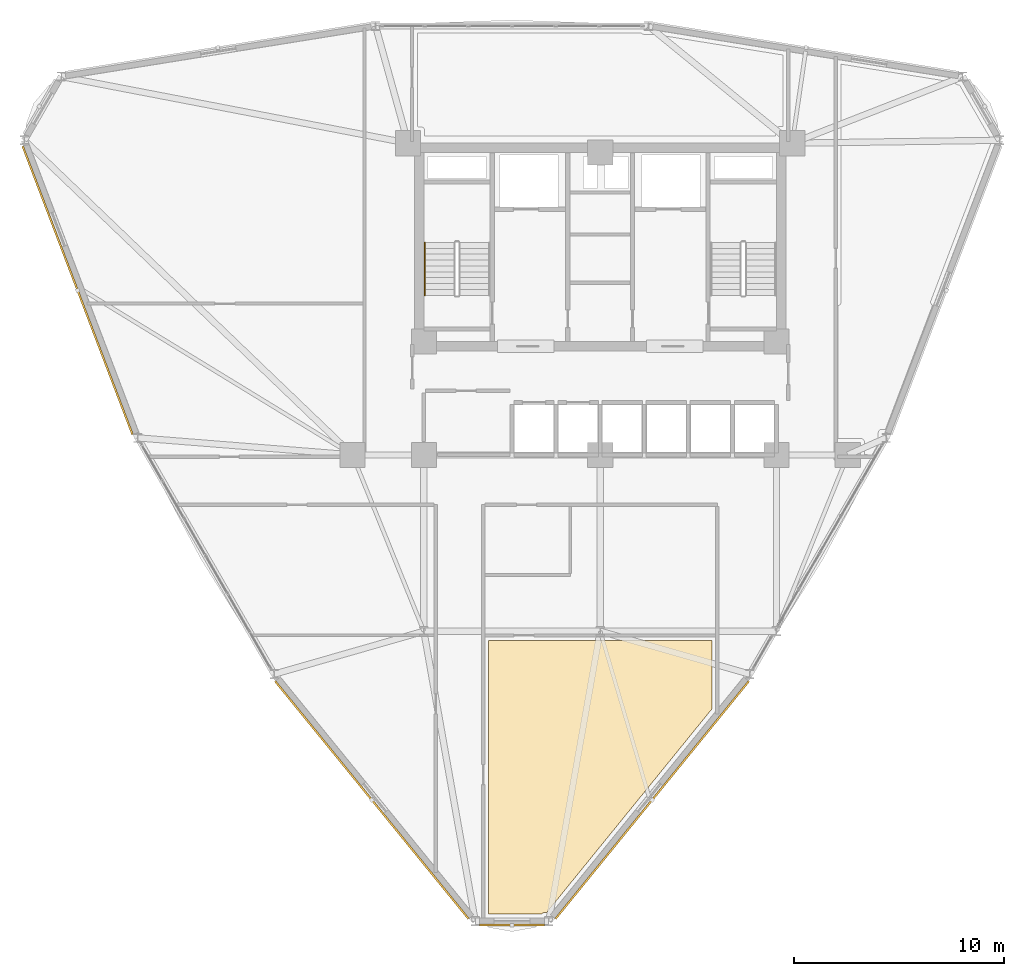
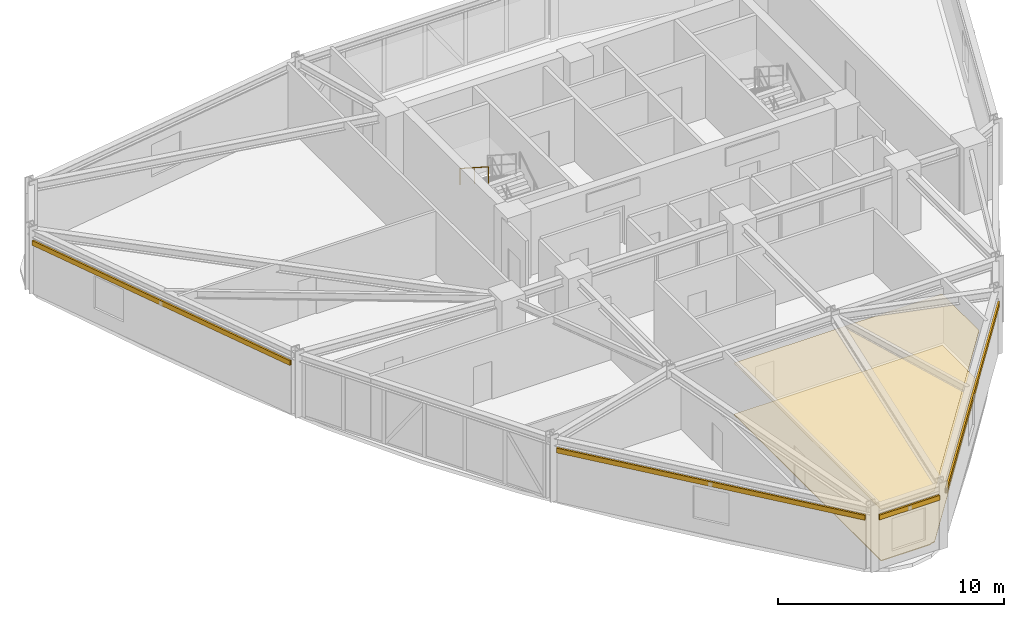
# One storey, part 13 of 15: 4 shading devices, 2 coverings, 1 railing.
"""IFC4 building model written with IfcOpenShell, lengths in metres."""

from ifc_helpers import new_model, si_unit, derived_unit, direction, frame, origin, origin_2d, place, context, subcontext, project, spatial, polyline, hollow_rectangle, circle, outline, extrude, source, transform, mapped, material, layer, layer_set, material_profile, profile_set, type_object, element, save


model = new_model("IFC4")

# Units and contexts
model_context = context("Model", 3, precision=1e-05, world=origin(), true_north=direction((0.0, 1.0)))
body_context = subcontext(model_context, "Body", "Model", "MODEL_VIEW")
ifc_project = project(units=[si_unit("LENGTHUNIT", "METRE"), si_unit("AREAUNIT", "SQUARE_METRE"), si_unit("VOLUMEUNIT", "CUBIC_METRE"), si_unit("PLANEANGLEUNIT", "RADIAN"), si_unit("MASSUNIT", "GRAM", prefix="KILO"), derived_unit("THERMALTRANSMITTANCEUNIT", [(si_unit("POWERUNIT", "WATT"), 1), (si_unit("LENGTHUNIT", "METRE"), -2), (si_unit("THERMODYNAMICTEMPERATUREUNIT", "KELVIN"), -1)])], contexts=[model_context])

# Site, building, storey
site_placement = place(None, origin())
site = spatial("IfcSite", under=ifc_project, at=site_placement, CompositionType="ELEMENT")
building_placement = place(site_placement, origin())
building = spatial("IfcBuilding", under=site, at=building_placement, Name="Korsvarv Bourse and Concert Hall", CompositionType="ELEMENT")
storey_placement = place(building_placement, frame((0.0, 0.0, 147.0)))
storey = spatial("IfcBuildingStorey", under=building, at=storey_placement, Name="L37", CompositionType="ELEMENT", Elevation=147.0)

# Coverings
ifc_material_1 = material(Name="Perforated mineral-wool and birch acoustic baffle ceiling", Category="wood")
ifc_layer_1 = layer(ifc_material_1, 0.02490234375)
ifc_layer_set_1 = layer_set([ifc_layer_1], Name="Perforated mineral-wool and birch acoustic baffle ceiling")
covering_type_1 = type_object("IfcCoveringType", Name="COV-CEIL-1", PredefinedType="CEILING", material=ifc_layer_set_1)
covering_1_placement = place(storey_placement, frame((0.0, 0.0, 2.780029296875)))
element("IfcCovering", 1, at=covering_1_placement, inside=storey, type_object=covering_type_1, Name="L37 acoustic baffle ceiling 1", PredefinedType="CEILING", context=body_context, shape_type="SweptSolid", body=[
    extrude(outline(polyline([(30.679931640625, 10.523681640625), (30.679931640625, 23.550048828125), (41.320068359375, 23.550048828125), (41.320068359375, 20.386474609375), (41.32373046875, 20.33935546875), (41.330810546875, 20.3046875), (33.4462890625, 10.59130859375), (33.346923828125, 10.59130859375), (33.31298828125, 10.588134765625), (33.2802734375, 10.57861328125), (33.249755859375, 10.56298828125), (33.222900390625, 10.5419921875), (33.20654296875, 10.523681640625), (30.679931640625, 10.523681640625)])), origin(), (0.0, 0.0, 1.0), 0.02490234375),
])
ifc_material_2 = material(Name="Calcium-sulphate raised access trading floor with Nordic oak top", Category="wood")
ifc_layer_2 = layer(ifc_material_2, 0.0400390625)
ifc_layer_set_2 = layer_set([ifc_layer_2], Name="Calcium-sulphate raised access trading floor with Nordic oak top")
covering_type_2 = type_object("IfcCoveringType", Name="COV-FLOR-1", PredefinedType="FLOORING", material=ifc_layer_set_2)
covering_2_placement = place(storey_placement, origin())
element("IfcCovering", 2, at=covering_2_placement, inside=storey, type_object=covering_type_2, Name="L37 raised access oak floor finish 1", PredefinedType="FLOORING", context=body_context, shape_type="SweptSolid", body=[
    extrude(outline(polyline([(30.679931640625, 10.523681640625), (30.679931640625, 23.550048828125), (41.320068359375, 23.550048828125), (41.320068359375, 20.386474609375), (41.32373046875, 20.33935546875), (41.330810546875, 20.3046875), (33.4462890625, 10.59130859375), (33.346923828125, 10.59130859375), (33.31298828125, 10.588134765625), (33.2802734375, 10.57861328125), (33.249755859375, 10.56298828125), (33.222900390625, 10.5419921875), (33.20654296875, 10.523681640625), (30.679931640625, 10.523681640625)])), origin(), (0.0, 0.0, 1.0), 0.0400390625),
])

# Railing
ifc_material_3 = material(Name="Brushed stainless Steel S355 tubular handrail", Category="steel")
railing_type = type_object("IfcRailingType", Name="RL-ST-HND", PredefinedType="HANDRAIL", material=ifc_material_3)
railing_placement = place(storey_placement, frame((27.64990234375, 42.52001953125, 1.97998046875)))
element("IfcRailing", 3, at=railing_placement, inside=storey, type_object=railing_type, Name="L37 ST-T1 stair handrail 2", PredefinedType="HANDRAIL", context=body_context, shape_type="SweptSolid", body=[
    extrude(circle(Radius=0.02392578125, at=origin_2d()), frame((0.0, 0.0, 0.8759765625), z_axis=(0.0, -0.841162588446, 0.540782303519), x_axis=(1.0, 0.0, 0.0)), (0.0, 0.0, 1.0), 2.995849609375),
    extrude(circle(Radius=0.02099609375, at=origin_2d()), origin(), (0.0, 0.0, 1.0), 0.851806640625),
    extrude(circle(Radius=0.02099609375, at=origin_2d()), frame((0.0, -1.260009765625, 0.81005859375)), (0.0, 0.0, 1.0), 0.851806640625),
    extrude(circle(Radius=0.02099609375, at=origin_2d()), frame((0.0, -2.52001953125, 1.6201171875)), (0.0, 0.0, 1.0), 0.851806640625),
])

# Shading devices
ifc_material_4 = material(Name="Glazed extruded architectural terracotta", Category="ceramic")
ifc_material_profile = material_profile(ifc_material_4, hollow_rectangle(XDim=0.090087890625, YDim=0.260009765625, WallThickness=0.011962890625, at=origin_2d()), Name="TC-BAG 90x260")
ifc_profile_set = profile_set([ifc_material_profile], Name="Glazed extruded architectural terracotta")
shading_device_type = type_object("IfcShadingDeviceType", Name="SHD-BAG-1", PredefinedType="USERDEFINED", material=ifc_profile_set)
shared_shape_1 = source(origin(), body_context, "Body", "SweptSolid", [
    extrude(hollow_rectangle(XDim=0.090087890625, YDim=0.260009765625, WallThickness=0.011962890625, at=origin_2d()), origin(), (0.0, 0.0, 1.0), 14.69677734375),
])
shading_device_1_placement = place(storey_placement, frame((8.4873046875, 47.105224609375, 2.7900390625), z_axis=(0.356077530784, -0.934456415287, 0.0), x_axis=(0.934456415287, 0.356077530784, 0.0)))
element("IfcShadingDevice", 4, at=shading_device_1_placement, inside=storey, type_object=shading_device_type, Name="L37 terracotta baguette sunshade EW-L37-B06", ObjectType="BAGUETTE", PredefinedType="USERDEFINED", context=body_context, shape_type="MappedRepresentation", body=[
    mapped(shared_shape_1, transform((0.0, 0.0, 0.0), scale=1.0)),
])
shared_shape_2 = source(origin(), body_context, "Body", "SweptSolid", [
    extrude(hollow_rectangle(XDim=0.090087890625, YDim=0.260009765625, WallThickness=0.011962890625, at=origin_2d()), origin(), (0.0, 0.0, 1.0), 14.59912109375),
])
for number, where, z_axis, x_axis, name in (
    (5, (20.514892578125, 21.618896484375, 2.840087890625), (0.631227653085, -0.775597608287, 0.0), (0.775597608287, 0.631227653085, 0.0), "L37 terracotta baguette sunshade EW-L37-B08"),
    (6, (33.86962890625, 10.2958984375, 2.840087890625), (0.631227653085, 0.775597608287, 0.0), (-0.775597608287, 0.631227653085, 0.0), "L37 terracotta baguette sunshade EW-L37-B10"),
):
    element("IfcShadingDevice", number, at=place(storey_placement, frame(where, z_axis=z_axis, x_axis=x_axis)), inside=storey, type_object=shading_device_type, Name=name, ObjectType="BAGUETTE", PredefinedType="USERDEFINED", context=body_context, shape_type="MappedRepresentation", body=[
        mapped(shared_shape_2, transform((0.0, 0.0, 0.0), scale=1.0)),
    ])
shared_shape_3 = source(origin(), body_context, "Body", "SweptSolid", [
    extrude(hollow_rectangle(XDim=0.090087890625, YDim=0.260009765625, WallThickness=0.011962890625, at=origin_2d()), origin(), (0.0, 0.0, 1.0), 3.083740234375),
])
shading_device_2_placement = place(storey_placement, frame((30.258056640625, 9.998779296875, 2.840087890625), z_axis=(1.0, 0.0, 0.0), x_axis=(0.0, 1.0, 0.0)))
element("IfcShadingDevice", 7, at=shading_device_2_placement, inside=storey, type_object=shading_device_type, Name="L37 terracotta baguette sunshade EW-L37-B09", ObjectType="BAGUETTE", PredefinedType="USERDEFINED", context=body_context, shape_type="MappedRepresentation", body=[
    mapped(shared_shape_3, transform((0.0, 0.0, 0.0), scale=1.0)),
])

save(model, "model.ifc")
